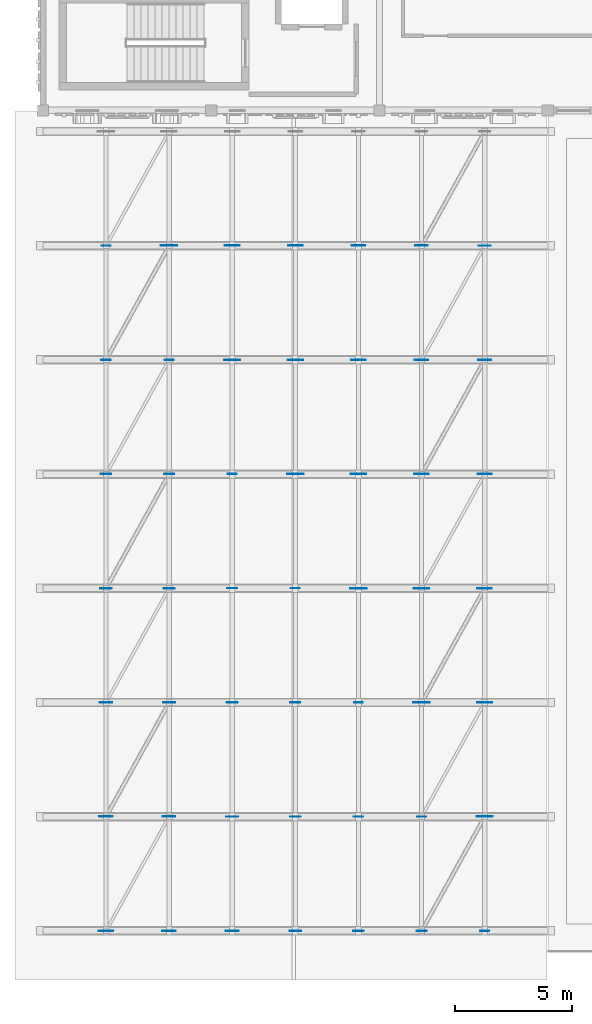
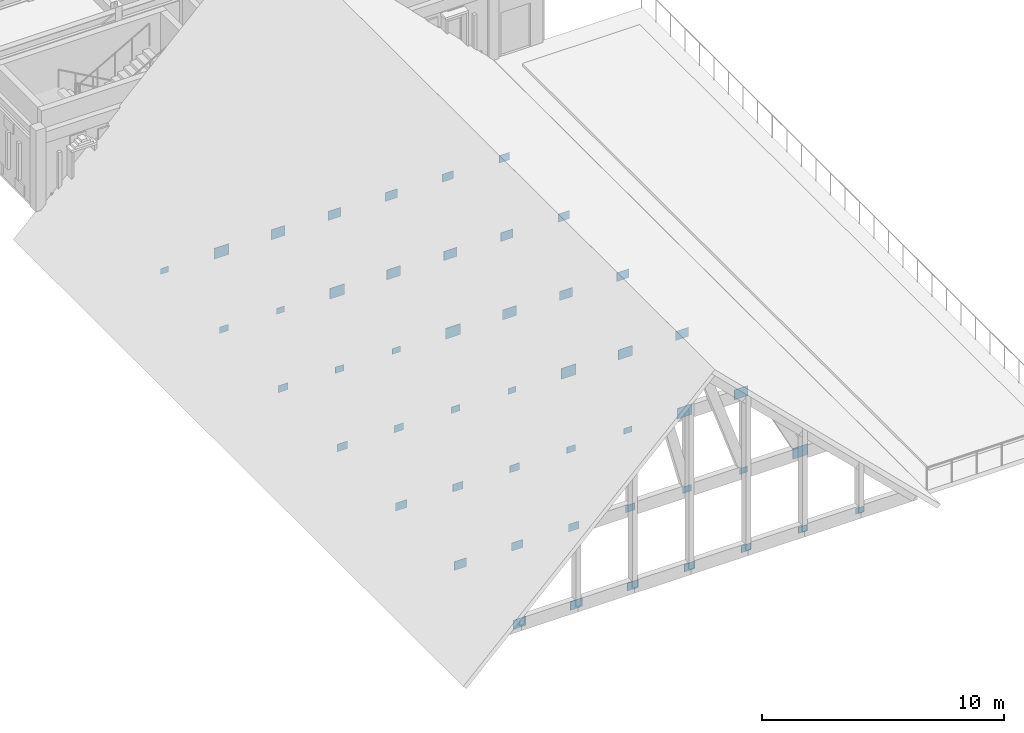
# One storey, part 40 of 79: 49 plates.
"""IFC4 building model written with IfcOpenShell, lengths in metres."""

from ifc_helpers import new_model, si_unit, direction, frame, origin, origin_2d, place, context, subcontext, project, spatial, rectangle, extrude, material, layer, layer_set, type_object, element, save


model = new_model("IFC4")

# Units and contexts
model_context = context("Model", 3, precision=1e-05, world=origin(), true_north=direction((0.0, 1.0)))
body_context = subcontext(model_context, "Body", "Model", "MODEL_VIEW")
ifc_project = project(units=[si_unit("LENGTHUNIT", "METRE"), si_unit("AREAUNIT", "SQUARE_METRE"), si_unit("VOLUMEUNIT", "CUBIC_METRE"), si_unit("PLANEANGLEUNIT", "RADIAN"), si_unit("MASSUNIT", "GRAM", prefix="KILO")], contexts=[model_context])

# Site, building, storey
site_placement = place(None, origin())
site = spatial("IfcSite", under=ifc_project, at=site_placement, CompositionType="ELEMENT")
building_placement = place(site_placement, origin())
building = spatial("IfcBuilding", under=site, at=building_placement, Name="Nzembalo Square Collegiate School", CompositionType="ELEMENT")
storey_placement = place(building_placement, frame((0.0, 0.0, 9.52001953125)))
storey = spatial("IfcBuildingStorey", under=building, at=storey_placement, Name="L02", CompositionType="ELEMENT", Elevation=9.52001953125)

# Plates
ifc_material_1 = material(Name="Steel S355", Category="steel")
ifc_layer_1 = layer(ifc_material_1, 0.02392578125, Name="Steel S355")
ifc_layer_set_1 = layer_set([ifc_layer_1], Name="Steel S355")
plate_type_1 = type_object("IfcPlateType", Name="TN01", PredefinedType="SHEET", material=ifc_layer_set_1)
for number, where, z_axis, x_axis, name in (
    (1, (27.300048828125, 14.185791015625, -0.8701171875), (0.0, 0.0, 1.0), (1.0, 0.0, 0.0), "GT-SH1-02 gusset plate TN01"),
    (2, (24.60009765625, 19.0712890625, -0.8701171875), (0.0, 0.0, 1.0), (1.0, 0.0, 0.0), "GT-SH1-03 gusset plate TN01"),
    (3, (21.89990234375, 23.95703125, -0.8701171875), (0.0, 0.0, 1.0), (1.0, 0.0, 0.0), "GT-SH1-04 gusset plate TN01"),
    (4, (19.199951171875, 28.843017578125, -0.8701171875), (0.0, 0.0, 1.0), (1.0, 0.0, 0.0), "GT-SH1-05 gusset plate TN01"),
    (5, (16.5, 33.728515625, -0.8701171875), (0.0, 0.0, 1.0), (1.0, 0.0, 0.0), "GT-SH1-06 gusset plate TN01"),
    (6, (13.800048828125, 38.6142578125, -0.8701171875), (0.0, 0.0, 1.0), (1.0, 0.0, 0.0), "GT-SH1-07 gusset plate TN01"),
):
    element("IfcPlate", number, at=place(storey_placement, frame(where, z_axis=z_axis, x_axis=x_axis)), inside=storey, type_object=plate_type_1, Name=name, PredefinedType="SHEET", context=body_context, shape_type="SweptSolid", body=[
        extrude(rectangle(XDim=0.699951171875, YDim=0.02392578125, at=origin_2d()), origin(), (0.0, 0.0, 1.0), 0.5400390625),
    ])
ifc_material_2 = material(Name="Steel S355", Category="steel")
ifc_layer_2 = layer(ifc_material_2, 0.02197265625, Name="Steel S355")
ifc_layer_set_2 = layer_set([ifc_layer_2], Name="Steel S355")
plate_type_2 = type_object("IfcPlateType", Name="TN02", PredefinedType="SHEET", material=ifc_layer_set_2)
for number, where, z_axis, x_axis, name in (
    (7, (27.300048828125, 19.0712890625, -0.85009765625), (0.0, 0.0, 1.0), (1.0, 0.0, 0.0), "GT-SH1-03 gusset plate TN02"),
    (8, (24.60009765625, 23.95703125, -0.85009765625), (0.0, 0.0, 1.0), (1.0, 0.0, 0.0), "GT-SH1-04 gusset plate TN02"),
    (9, (21.89990234375, 28.843017578125, -0.85009765625), (0.0, 0.0, 1.0), (1.0, 0.0, 0.0), "GT-SH1-05 gusset plate TN02"),
    (10, (19.199951171875, 33.728515625, -0.85009765625), (0.0, 0.0, 1.0), (1.0, 0.0, 0.0), "GT-SH1-06 gusset plate TN02"),
    (11, (16.5, 38.6142578125, -0.85009765625), (0.0, 0.0, 1.0), (1.0, 0.0, 0.0), "GT-SH1-07 gusset plate TN02"),
):
    element("IfcPlate", number, at=place(storey_placement, frame(where, z_axis=z_axis, x_axis=x_axis)), inside=storey, type_object=plate_type_2, Name=name, PredefinedType="SHEET", context=body_context, shape_type="SweptSolid", body=[
        extrude(rectangle(XDim=0.659912109375, YDim=0.02197265625, at=origin_2d()), origin(), (0.0, 0.0, 1.0), 0.5),
    ])
ifc_material_3 = material(Name="Steel S355", Category="steel")
ifc_layer_3 = layer(ifc_material_3, 0.02001953125, Name="Steel S355")
ifc_layer_set_3 = layer_set([ifc_layer_3], Name="Steel S355")
plate_type_3 = type_object("IfcPlateType", Name="TN03", PredefinedType="SHEET", material=ifc_layer_set_3)
for number, where, z_axis, x_axis, name in (
    (12, (11.10009765625, 9.300048828125, -0.830078125), (0.0, 0.0, 1.0), (1.0, 0.0, 0.0), "GT-SH1-01 gusset plate TN03"),
    (13, (27.300048828125, 23.95703125, -0.830078125), (0.0, 0.0, 1.0), (1.0, 0.0, 0.0), "GT-SH1-04 gusset plate TN03"),
    (14, (24.60009765625, 28.843017578125, -0.830078125), (0.0, 0.0, 1.0), (1.0, 0.0, 0.0), "GT-SH1-05 gusset plate TN03"),
    (15, (21.89990234375, 33.728515625, -0.830078125), (0.0, 0.0, 1.0), (1.0, 0.0, 0.0), "GT-SH1-06 gusset plate TN03"),
    (16, (19.199951171875, 38.6142578125, -0.830078125), (0.0, 0.0, 1.0), (1.0, 0.0, 0.0), "GT-SH1-07 gusset plate TN03"),
):
    element("IfcPlate", number, at=place(storey_placement, frame(where, z_axis=z_axis, x_axis=x_axis)), inside=storey, type_object=plate_type_3, Name=name, PredefinedType="SHEET", context=body_context, shape_type="SweptSolid", body=[
        extrude(rectangle(XDim=0.6201171875, YDim=0.02001953125, at=origin_2d()), origin(), (0.0, 0.0, 1.0), 0.4599609375),
    ])
ifc_material_4 = material(Name="Steel S355", Category="steel")
ifc_layer_4 = layer(ifc_material_4, 0.02001953125, Name="Steel S355")
ifc_layer_set_4 = layer_set([ifc_layer_4], Name="Steel S355")
plate_type_4 = type_object("IfcPlateType", Name="TN04", PredefinedType="SHEET", material=ifc_layer_set_4)
for number, where, z_axis, x_axis, name in (
    (17, (13.800048828125, 9.300048828125, -0.820068359375), (0.0, 0.0, 1.0), (1.0, 0.0, 0.0), "GT-SH1-01 gusset plate TN04"),
    (18, (11.10009765625, 14.185791015625, -0.820068359375), (0.0, 0.0, 1.0), (1.0, 0.0, 0.0), "GT-SH1-02 gusset plate TN04"),
    (19, (27.300048828125, 28.843017578125, -0.820068359375), (0.0, 0.0, 1.0), (1.0, 0.0, 0.0), "GT-SH1-05 gusset plate TN04"),
    (20, (24.60009765625, 33.728515625, -0.820068359375), (0.0, 0.0, 1.0), (1.0, 0.0, 0.0), "GT-SH1-06 gusset plate TN04"),
    (21, (21.89990234375, 38.6142578125, -0.820068359375), (0.0, 0.0, 1.0), (1.0, 0.0, 0.0), "GT-SH1-07 gusset plate TN04"),
):
    element("IfcPlate", number, at=place(storey_placement, frame(where, z_axis=z_axis, x_axis=x_axis)), inside=storey, type_object=plate_type_4, Name=name, PredefinedType="SHEET", context=body_context, shape_type="SweptSolid", body=[
        extrude(rectangle(XDim=0.580078125, YDim=0.02001953125, at=origin_2d()), origin(), (0.0, 0.0, 1.0), 0.43994140625),
    ])
ifc_material_5 = material(Name="Steel S355", Category="steel")
ifc_layer_5 = layer(ifc_material_5, 0.01806640625, Name="Steel S355")
ifc_layer_set_5 = layer_set([ifc_layer_5], Name="Steel S355")
plate_type_5 = type_object("IfcPlateType", Name="TN05", PredefinedType="SHEET", material=ifc_layer_set_5)
for number, where, z_axis, x_axis, name in (
    (22, (16.5, 9.300048828125, -0.800048828125), (0.0, 0.0, 1.0), (1.0, 0.0, 0.0), "GT-SH1-01 gusset plate TN05"),
    (23, (13.800048828125, 14.185791015625, -0.800048828125), (0.0, 0.0, 1.0), (1.0, 0.0, 0.0), "GT-SH1-02 gusset plate TN05"),
    (24, (11.10009765625, 19.0712890625, -0.800048828125), (0.0, 0.0, 1.0), (1.0, 0.0, 0.0), "GT-SH1-03 gusset plate TN05"),
    (25, (27.300048828125, 33.728515625, -0.800048828125), (0.0, 0.0, 1.0), (1.0, 0.0, 0.0), "GT-SH1-06 gusset plate TN05"),
    (26, (24.60009765625, 38.6142578125, -0.800048828125), (0.0, 0.0, 1.0), (1.0, 0.0, 0.0), "GT-SH1-07 gusset plate TN05"),
):
    element("IfcPlate", number, at=place(storey_placement, frame(where, z_axis=z_axis, x_axis=x_axis)), inside=storey, type_object=plate_type_5, Name=name, PredefinedType="SHEET", context=body_context, shape_type="SweptSolid", body=[
        extrude(rectangle(XDim=0.5400390625, YDim=0.01806640625, at=origin_2d()), origin(), (0.0, 0.0, 1.0), 0.39990234375),
    ])
ifc_material_6 = material(Name="Steel S355", Category="steel")
ifc_layer_6 = layer(ifc_material_6, 0.01611328125, Name="Steel S355")
ifc_layer_set_6 = layer_set([ifc_layer_6], Name="Steel S355")
plate_type_6 = type_object("IfcPlateType", Name="TN06", PredefinedType="SHEET", material=ifc_layer_set_6)
for number, where, z_axis, x_axis, name in (
    (27, (19.199951171875, 9.300048828125, -0.7900390625), (0.0, 0.0, 1.0), (1.0, 0.0, 0.0), "GT-SH1-01 gusset plate TN06"),
    (28, (16.5, 14.185791015625, -0.7900390625), (0.0, 0.0, 1.0), (1.0, 0.0, 0.0), "GT-SH1-02 gusset plate TN06"),
    (29, (13.800048828125, 19.0712890625, -0.7900390625), (0.0, 0.0, 1.0), (1.0, 0.0, 0.0), "GT-SH1-03 gusset plate TN06"),
    (30, (11.10009765625, 23.95703125, -0.7900390625), (0.0, 0.0, 1.0), (1.0, 0.0, 0.0), "GT-SH1-04 gusset plate TN06"),
    (31, (27.300048828125, 38.6142578125, -0.7900390625), (0.0, 0.0, 1.0), (1.0, 0.0, 0.0), "GT-SH1-07 gusset plate TN06"),
):
    element("IfcPlate", number, at=place(storey_placement, frame(where, z_axis=z_axis, x_axis=x_axis)), inside=storey, type_object=plate_type_6, Name=name, PredefinedType="SHEET", context=body_context, shape_type="SweptSolid", body=[
        extrude(rectangle(XDim=0.5, YDim=0.01611328125, at=origin_2d()), origin(), (0.0, 0.0, 1.0), 0.3798828125),
    ])
ifc_material_7 = material(Name="Steel S355", Category="steel")
ifc_layer_7 = layer(ifc_material_7, 0.01611328125, Name="Steel S355")
ifc_layer_set_7 = layer_set([ifc_layer_7], Name="Steel S355")
plate_type_7 = type_object("IfcPlateType", Name="TN07", PredefinedType="SHEET", material=ifc_layer_set_7)
for number, where, z_axis, x_axis, name in (
    (32, (21.89990234375, 9.300048828125, -0.775146484375), (0.0, 0.0, 1.0), (1.0, 0.0, 0.0), "GT-SH1-01 gusset plate TN07"),
    (33, (19.199951171875, 14.185791015625, -0.775146484375), (0.0, 0.0, 1.0), (1.0, 0.0, 0.0), "GT-SH1-02 gusset plate TN07"),
    (34, (16.5, 19.0712890625, -0.775146484375), (0.0, 0.0, 1.0), (1.0, 0.0, 0.0), "GT-SH1-03 gusset plate TN07"),
    (35, (13.800048828125, 23.95703125, -0.775146484375), (0.0, 0.0, 1.0), (1.0, 0.0, 0.0), "GT-SH1-04 gusset plate TN07"),
    (36, (11.10009765625, 28.843017578125, -0.775146484375), (0.0, 0.0, 1.0), (1.0, 0.0, 0.0), "GT-SH1-05 gusset plate TN07"),
):
    element("IfcPlate", number, at=place(storey_placement, frame(where, z_axis=z_axis, x_axis=x_axis)), inside=storey, type_object=plate_type_7, Name=name, PredefinedType="SHEET", context=body_context, shape_type="SweptSolid", body=[
        extrude(rectangle(XDim=0.4599609375, YDim=0.01611328125, at=origin_2d()), origin(), (0.0, 0.0, 1.0), 0.35009765625),
    ])
ifc_material_8 = material(Name="Steel S355", Category="steel")
ifc_layer_8 = layer(ifc_material_8, 0.013916015625, Name="Steel S355")
ifc_layer_set_8 = layer_set([ifc_layer_8], Name="Steel S355")
plate_type_8 = type_object("IfcPlateType", Name="TN08", PredefinedType="SHEET", material=ifc_layer_set_8)
for number, where, z_axis, x_axis, name in (
    (37, (24.60009765625, 9.300048828125, -0.76025390625), (0.0, 0.0, 1.0), (1.0, 0.0, 0.0), "GT-SH1-01 gusset plate TN08"),
    (38, (21.89990234375, 14.185791015625, -0.76025390625), (0.0, 0.0, 1.0), (1.0, 0.0, 0.0), "GT-SH1-02 gusset plate TN08"),
    (39, (19.199951171875, 19.0712890625, -0.76025390625), (0.0, 0.0, 1.0), (1.0, 0.0, 0.0), "GT-SH1-03 gusset plate TN08"),
    (40, (16.5, 23.95703125, -0.76025390625), (0.0, 0.0, 1.0), (1.0, 0.0, 0.0), "GT-SH1-04 gusset plate TN08"),
    (41, (13.800048828125, 28.843017578125, -0.76025390625), (0.0, 0.0, 1.0), (1.0, 0.0, 0.0), "GT-SH1-05 gusset plate TN08"),
    (42, (11.10009765625, 33.728515625, -0.76025390625), (0.0, 0.0, 1.0), (1.0, 0.0, 0.0), "GT-SH1-06 gusset plate TN08"),
):
    element("IfcPlate", number, at=place(storey_placement, frame(where, z_axis=z_axis, x_axis=x_axis)), inside=storey, type_object=plate_type_8, Name=name, PredefinedType="SHEET", context=body_context, shape_type="SweptSolid", body=[
        extrude(rectangle(XDim=0.419921875, YDim=0.013916015625, at=origin_2d()), origin(), (0.0, 0.0, 1.0), 0.320068359375),
    ])
ifc_material_9 = material(Name="Steel S355", Category="steel")
ifc_layer_9 = layer(ifc_material_9, 0.013916015625, Name="Steel S355")
ifc_layer_set_9 = layer_set([ifc_layer_9], Name="Steel S355")
plate_type_9 = type_object("IfcPlateType", Name="TN09", PredefinedType="SHEET", material=ifc_layer_set_9)
for number, where, z_axis, x_axis, name in (
    (43, (27.300048828125, 9.300048828125, -0.7451171875), (0.0, 0.0, 1.0), (1.0, 0.0, 0.0), "GT-SH1-01 gusset plate TN09"),
    (44, (24.60009765625, 14.185791015625, -0.7451171875), (0.0, 0.0, 1.0), (1.0, 0.0, 0.0), "GT-SH1-02 gusset plate TN09"),
    (45, (21.89990234375, 19.0712890625, -0.7451171875), (0.0, 0.0, 1.0), (1.0, 0.0, 0.0), "GT-SH1-03 gusset plate TN09"),
    (46, (19.199951171875, 23.95703125, -0.7451171875), (0.0, 0.0, 1.0), (1.0, 0.0, 0.0), "GT-SH1-04 gusset plate TN09"),
    (47, (16.5, 28.843017578125, -0.7451171875), (0.0, 0.0, 1.0), (1.0, 0.0, 0.0), "GT-SH1-05 gusset plate TN09"),
    (48, (13.800048828125, 33.728515625, -0.7451171875), (0.0, 0.0, 1.0), (1.0, 0.0, 0.0), "GT-SH1-06 gusset plate TN09"),
    (49, (11.10009765625, 38.6142578125, -0.7451171875), (0.0, 0.0, 1.0), (1.0, 0.0, 0.0), "GT-SH1-07 gusset plate TN09"),
):
    element("IfcPlate", number, at=place(storey_placement, frame(where, z_axis=z_axis, x_axis=x_axis)), inside=storey, type_object=plate_type_9, Name=name, PredefinedType="SHEET", context=body_context, shape_type="SweptSolid", body=[
        extrude(rectangle(XDim=0.3798828125, YDim=0.013916015625, at=origin_2d()), origin(), (0.0, 0.0, 1.0), 0.2900390625),
    ])

save(model, "model.ifc")
